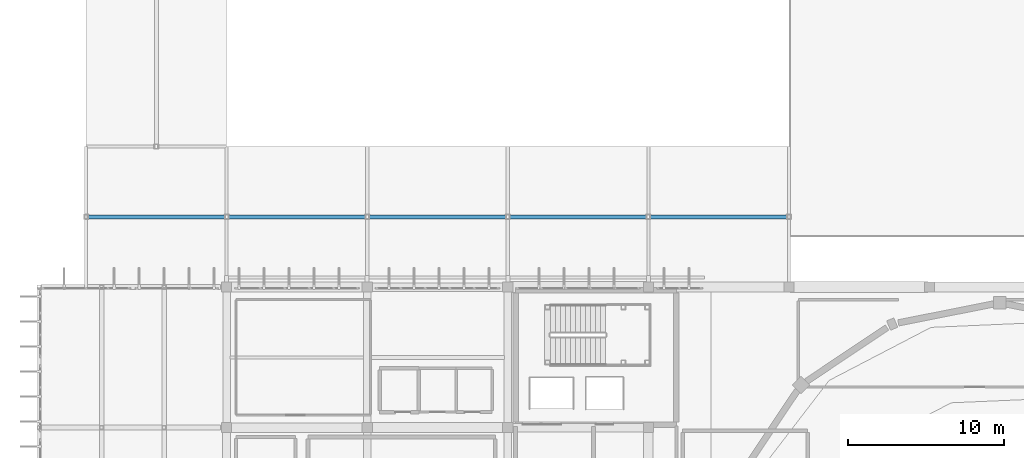
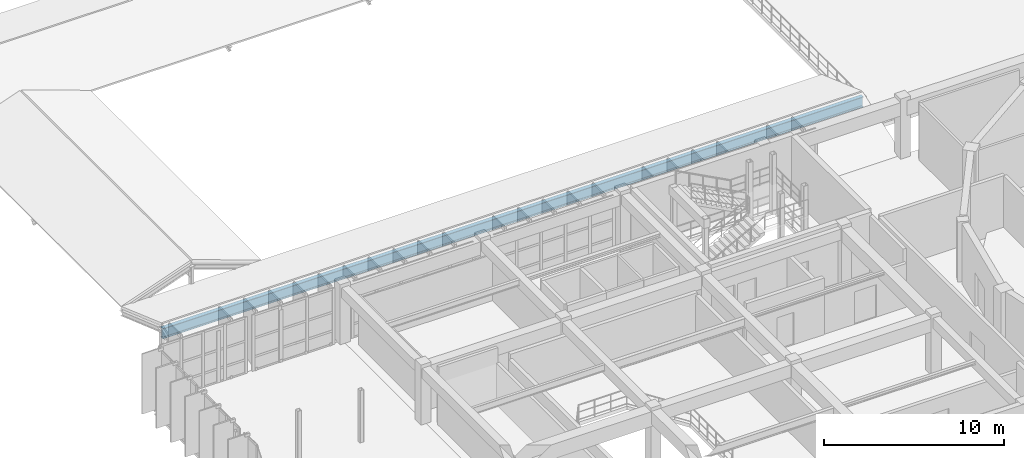
# One storey, part 42 of 80: 1 beam.
"""IFC4 building model written with IfcOpenShell, lengths in metres."""

from ifc_helpers import new_model, si_unit, direction, frame, origin, origin_2d, place, context, subcontext, project, spatial, i_section, extrude, material, material_profile, profile_set, type_object, element, save


model = new_model("IFC4")

# Units and contexts
model_context = context("Model", 3, precision=1e-05, world=origin(), true_north=direction((0.0, 1.0)))
body_context = subcontext(model_context, "Body", "Model", "MODEL_VIEW")
ifc_project = project(units=[si_unit("LENGTHUNIT", "METRE"), si_unit("AREAUNIT", "SQUARE_METRE"), si_unit("VOLUMEUNIT", "CUBIC_METRE"), si_unit("PLANEANGLEUNIT", "RADIAN"), si_unit("MASSUNIT", "GRAM", prefix="KILO")], contexts=[model_context])

# Site, building, storey
site_placement = place(None, origin())
site = spatial("IfcSite", under=ifc_project, at=site_placement, CompositionType="ELEMENT")
building_placement = place(site_placement, origin())
building = spatial("IfcBuilding", under=site, at=building_placement, Name="Miravela Opera House", CompositionType="ELEMENT")
storey_placement = place(building_placement, frame((0.0, 0.0, 17.679931640625)))
storey = spatial("IfcBuildingStorey", under=building, at=storey_placement, Name="L04", CompositionType="ELEMENT", Elevation=17.679931640625)

# Beam
ifc_material = material(Name="Structural steel ASTM A992 Gr. 50", Category="steel")
ifc_material_profile = material_profile(ifc_material, i_section(OverallWidth=0.256103515625, OverallDepth=0.693115234375, WebThickness=0.014404296875, FlangeThickness=0.023681640625, FilletRadius=0.01806640625, at=origin_2d()), Name="W690X170")
ifc_profile_set = profile_set([ifc_material_profile])
beam_type = type_object("IfcBeamType", Name="STR-BM-W690X170", PredefinedType="BEAM", material=ifc_profile_set)
beam_placement = place(storey_placement, frame((18.0, 79.5, 0.93359375), z_axis=(1.0, 0.0, 0.0), x_axis=(0.0, 1.0, 0.0)))
element("IfcBeam", 1, at=beam_placement, inside=storey, type_object=beam_type, Name="Clay Tile Roof Ridge Beam ROOF-V3-WEST-S", PredefinedType="BEAM", context=body_context, shape_type="SweptSolid", body=[
    extrude(i_section(OverallWidth=0.256103515625, OverallDepth=0.693115234375, WebThickness=0.014404296875, FlangeThickness=0.023681640625, FilletRadius=0.01806640625, at=origin_2d()), origin(), (0.0, 0.0, 1.0), 45.0),
])

save(model, "model.ifc")
